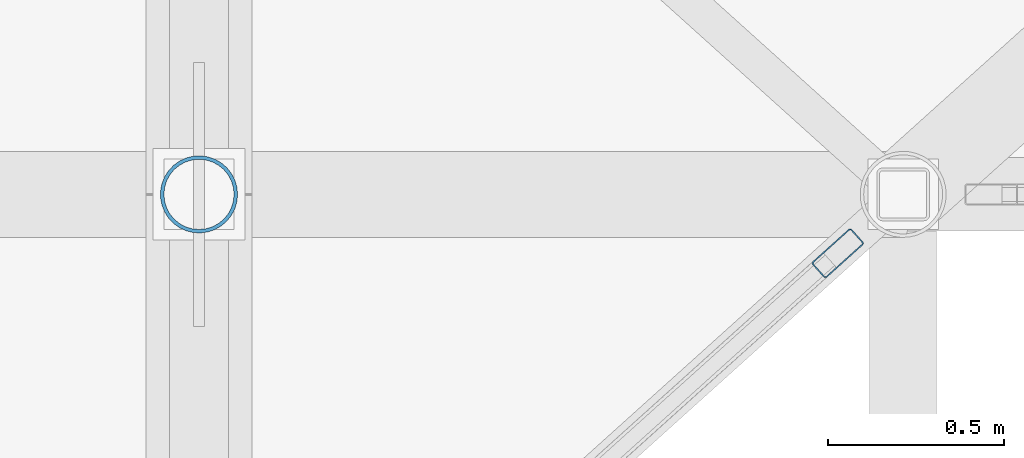
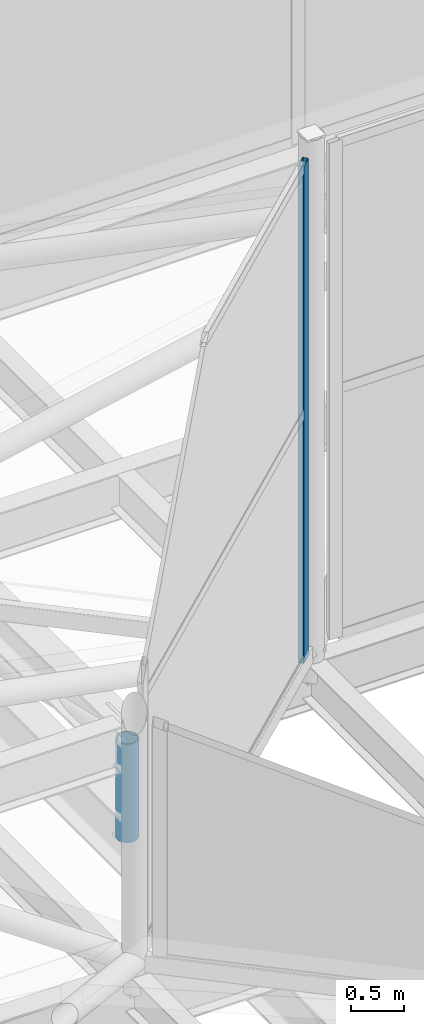
# One storey, part 60 of 239: 2 members, 1 element without a shape of its own.
"""IFC4 building model written with IfcOpenShell, lengths in metres."""

from ifc_helpers import new_model, si_unit, direction, frame, origin, origin_2d, place, context, subcontext, project, spatial, hollow_rectangle, hollow_circle, extrude, material, layer, layer_set, material_profile, profile_set, type_object, element, aggregate, save


model = new_model("IFC4")

# Units and contexts
model_context = context("Model", 3, precision=1e-05, world=origin(), true_north=direction((0.0, 1.0)))
body_context = subcontext(model_context, "Body", "Model", "MODEL_VIEW")
ifc_project = project(units=[si_unit("LENGTHUNIT", "METRE"), si_unit("AREAUNIT", "SQUARE_METRE"), si_unit("VOLUMEUNIT", "CUBIC_METRE"), si_unit("PLANEANGLEUNIT", "RADIAN"), si_unit("MASSUNIT", "GRAM", prefix="KILO")], contexts=[model_context])

# Site, building, storey
site_placement = place(None, origin())
site = spatial("IfcSite", under=ifc_project, at=site_placement, CompositionType="ELEMENT")
building_placement = place(site_placement, origin())
building = spatial("IfcBuilding", under=site, at=building_placement, Name="Dunvalen Ferry Terminal", CompositionType="ELEMENT")
storey_placement = place(building_placement, frame((0.0, 0.0, 9.840087890625)))
storey = spatial("IfcBuildingStorey", under=building, at=storey_placement, Name="L02", CompositionType="ELEMENT", Elevation=9.840087890625)

# Curtain wall, member
ifc_material_1 = material(Name="Anodised marine aluminium and solar-control glazing", Category="aluminium")
ifc_layer = layer(ifc_material_1, 0.179931640625, Name="Anodised marine aluminium and solar-control glazing")
ifc_layer_set = layer_set([ifc_layer], Name="Anodised marine aluminium and solar-control glazing")
curtain_wall_type = type_object("IfcCurtainWallType", Name="ENV-CW-SYS-06", PredefinedType="NOTDEFINED", material=ifc_layer_set)
curtain_wall_placement = place(storey_placement, origin())
curtain_wall = element("IfcCurtainWall", 1, at=curtain_wall_placement, inside=storey, type_object=curtain_wall_type, Name="L02 Curtain Wall CW-HEX-14-SK-6", PredefinedType="NOTDEFINED")
ifc_material_2 = material(Name="Anodised marine aluminium EN AW-6063 T6", Category="aluminium")
ifc_material_profile_1 = material_profile(ifc_material_2, hollow_rectangle(XDim=0.06005859375, YDim=0.14990234375, WallThickness=0.00341796875, InnerFilletRadius=0.00341796875, OuterFilletRadius=0.007080078125, at=origin_2d()), Name="Anodised marine aluminium EN AW-6063 T6")
ifc_profile_set_1 = profile_set([ifc_material_profile_1], Name="Anodised marine aluminium EN AW-6063 T6")
member_type_1 = type_object("IfcMemberType", Name="ENV-CW-MUL-3", PredefinedType="MULLION", material=ifc_profile_set_1)
member_1_placement = place(storey_placement, frame((25.814208984375, 68.232666015625, 1.139892578125), z_axis=(0.0, 0.0, 1.0), x_axis=(0.668953550894, -0.74330420875, 0.0)))
member_1 = element("IfcMember", 2, at=member_1_placement, type_object=member_type_1, Name="CW-06 mullion 1", PredefinedType="MULLION", context=body_context, shape_type="SweptSolid", body=[
    extrude(hollow_rectangle(XDim=0.06005859375, YDim=0.14990234375, WallThickness=0.00341796875, InnerFilletRadius=0.00341796875, OuterFilletRadius=0.007080078125, at=origin_2d()), origin(), (0.0, 0.0, 1.0), 5.699951171875),
])
aggregate(curtain_wall, [member_1])

# Member
ifc_material_3 = material(Name="Steel S355", Category="steel")
ifc_material_profile_2 = material_profile(ifc_material_3, hollow_circle(Radius=0.109619140625, WallThickness=0.010009765625, at=origin_2d()), Name="Steel S355")
ifc_profile_set_2 = profile_set([ifc_material_profile_2], Name="Steel S355")
member_type_2 = type_object("IfcMemberType", Name="STR-MB-CHS219", PredefinedType="STRUT", material=ifc_profile_set_2)
member_2_placement = place(storey_placement, frame((24.0, 68.39990234375, -0.360107421875), z_axis=(0.0, 0.0, 1.0), x_axis=(1.0, 0.0, 0.0)))
element("IfcMember", 3, at=member_2_placement, inside=storey, type_object=member_type_2, Name="Departure Hall Arch Spandrel Strut 02.4", PredefinedType="STRUT", context=body_context, shape_type="SweptSolid", body=[
    extrude(hollow_circle(Radius=0.109619140625, WallThickness=0.010009765625, at=origin_2d()), origin(), (0.0, 0.0, 1.0), 1.130126953125),
])

save(model, "model.ifc")
